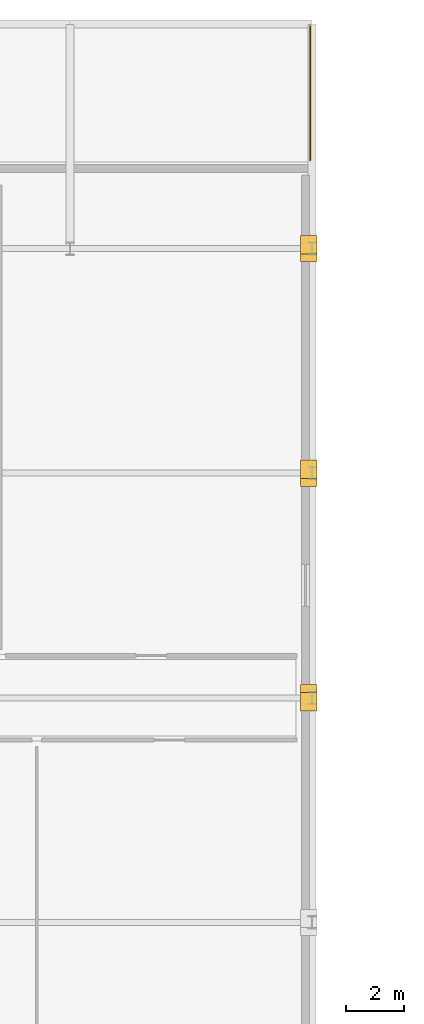
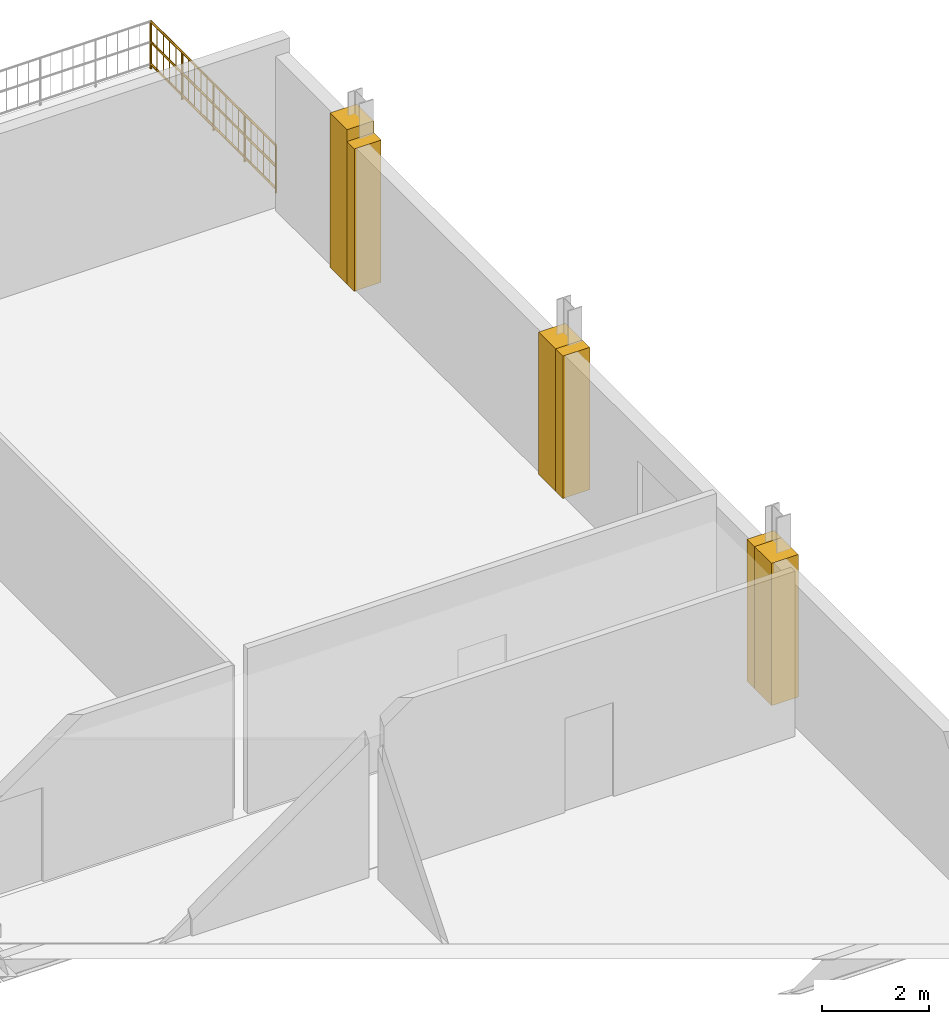
# One storey, part 25 of 25: 6 coverings, 1 railing.
"""IFC4 building model written with IfcOpenShell, lengths in metres."""

from ifc_helpers import new_model, si_unit, direction, frame, origin, origin_2d, place, context, subcontext, project, spatial, polyline, circle, outline, extrude, material, layer, layer_set, type_object, element, save


model = new_model("IFC4")

# Units and contexts
model_context = context("Model", 3, precision=1e-05, world=origin(), true_north=direction((0.0, 1.0)))
body_context = subcontext(model_context, "Body", "Model", "MODEL_VIEW")
ifc_project = project(units=[si_unit("LENGTHUNIT", "METRE"), si_unit("AREAUNIT", "SQUARE_METRE"), si_unit("VOLUMEUNIT", "CUBIC_METRE"), si_unit("PLANEANGLEUNIT", "RADIAN"), si_unit("MASSUNIT", "GRAM", prefix="KILO")], contexts=[model_context])

# Site, building, storey
site_placement = place(None, origin())
site = spatial("IfcSite", under=ifc_project, at=site_placement, CompositionType="ELEMENT")
building_placement = place(site_placement, origin())
building = spatial("IfcBuilding", under=site, at=building_placement, Name="Nabrawat Pavilion Hospital", CompositionType="ELEMENT")
storey_placement = place(building_placement, frame((0.0, 0.0, 22.949951171875)))
storey = spatial("IfcBuildingStorey", under=building, at=storey_placement, Name="L05", CompositionType="ELEMENT", Elevation=22.949951171875)

# Coverings
ifc_material_1 = material(Name="Precast concrete C40/50", Category="concrete")
ifc_layer_1 = layer(ifc_material_1, 0.360107421875, Name="Precast concrete C40/50")
ifc_layer_set_1 = layer_set([ifc_layer_1], Name="Precast concrete C40/50")
covering_type = type_object("IfcCoveringType", Name="Architectural Precast Column-Jamb Closure Reveal", PredefinedType="CLADDING", material=ifc_layer_set_1)
covering_1_placement = place(storey_placement, origin())
element("IfcCovering", 1, at=covering_1_placement, inside=storey, type_object=covering_type, Name="L05 Precast Facade Column-Jamb Weatherseal Closure 0607", PredefinedType="CLADDING", context=body_context, shape_type="SweptSolid", body=[
    extrude(outline(polyline([(193.3798828125, 100.945068359375), (193.3798828125, 101.580078125), (192.800048828125, 101.580078125), (192.800048828125, 100.945068359375), (193.3798828125, 100.945068359375)])), origin(), (0.0, 0.0, 1.0), 3.25),
])
covering_2_placement = place(storey_placement, origin())
element("IfcCovering", 2, at=covering_2_placement, inside=storey, type_object=covering_type, Name="L05 Precast Facade Column-Jamb Weatherseal Closure 0608", PredefinedType="CLADDING", context=body_context, shape_type="SweptSolid", body=[
    extrude(outline(polyline([(193.3798828125, 101.219970703125), (193.3798828125, 101.85498046875), (192.800048828125, 101.85498046875), (192.800048828125, 101.219970703125), (193.3798828125, 101.219970703125)])), origin(), (0.0, 0.0, 1.0), 3.25),
])
covering_3_placement = place(storey_placement, origin())
element("IfcCovering", 3, at=covering_3_placement, inside=storey, type_object=covering_type, Name="L05 Precast Facade Column-Jamb Weatherseal Closure 0609", PredefinedType="CLADDING", context=body_context, shape_type="SweptSolid", body=[
    extrude(outline(polyline([(193.3798828125, 108.7451171875), (193.3798828125, 109.3798828125), (192.800048828125, 109.3798828125), (192.800048828125, 108.7451171875), (193.3798828125, 108.7451171875)])), origin(), (0.0, 0.0, 1.0), 3.25),
])
covering_4_placement = place(storey_placement, origin())
element("IfcCovering", 4, at=covering_4_placement, inside=storey, type_object=covering_type, Name="L05 Precast Facade Column-Jamb Weatherseal Closure 0610", PredefinedType="CLADDING", context=body_context, shape_type="SweptSolid", body=[
    extrude(outline(polyline([(193.3798828125, 109.02001953125), (193.3798828125, 109.655029296875), (192.800048828125, 109.655029296875), (192.800048828125, 109.02001953125), (193.3798828125, 109.02001953125)])), origin(), (0.0, 0.0, 1.0), 3.25),
])
covering_5_placement = place(storey_placement, origin())
element("IfcCovering", 5, at=covering_5_placement, inside=storey, type_object=covering_type, Name="L05 Precast Facade Column-Jamb Weatherseal Closure 0611", PredefinedType="CLADDING", context=body_context, shape_type="SweptSolid", body=[
    extrude(outline(polyline([(193.3798828125, 116.544921875), (193.3798828125, 117.179931640625), (192.800048828125, 117.179931640625), (192.800048828125, 116.544921875), (193.3798828125, 116.544921875)])), origin(), (0.0, 0.0, 1.0), 3.25),
])
covering_6_placement = place(storey_placement, origin())
element("IfcCovering", 6, at=covering_6_placement, inside=storey, type_object=covering_type, Name="L05 Precast Facade Column-Jamb Weatherseal Closure 0612", PredefinedType="CLADDING", context=body_context, shape_type="SweptSolid", body=[
    extrude(outline(polyline([(193.3798828125, 116.820068359375), (193.3798828125, 117.455078125), (192.800048828125, 117.455078125), (192.800048828125, 116.820068359375), (193.3798828125, 116.820068359375)])), origin(), (0.0, 0.0, 1.0), 3.52001953125),
])

# Railing
ifc_material_2 = material(Name="Stainless Steel 316", Category="steel")
ifc_layer_2 = layer(ifc_material_2, 0.070068359375, Name="Stainless Steel 316")
ifc_layer_set_2 = layer_set([ifc_layer_2], Name="Stainless Steel 316")
railing_type = type_object("IfcRailingType", Name="Exterior Clinical Terrace Safety Guardrail 1100", PredefinedType="GUARDRAIL", material=ifc_layer_set_2)
railing_placement = place(storey_placement, frame((193.139892578125, 120.06005859375, 0.0)))
element("IfcRailing", 7, at=railing_placement, inside=storey, type_object=railing_type, Name="L05 Terrace Edge Safety Guardrail T_L05_WARD_NORTH East", PredefinedType="GUARDRAIL", context=body_context, shape_type="SweptSolid", body=[
    extrude(circle(Radius=0.02392578125, at=origin_2d()), frame((0.0, 0.0, 1.076171875), z_axis=(0.0, 1.0, 0.0), x_axis=(-1.0, 0.0, 0.0)), (0.0, 0.0, 1.0), 4.679931640625),
    extrude(circle(Radius=0.02392578125, at=origin_2d()), frame((0.0, 0.0, 0.10009765625), z_axis=(0.0, 1.0, 0.0), x_axis=(-1.0, 0.0, 0.0)), (0.0, 0.0, 1.0), 4.679931640625),
    extrude(circle(Radius=0.02392578125, at=origin_2d()), frame((0.0, 0.0, 0.60498046875), z_axis=(0.0, 1.0, 0.0), x_axis=(-1.0, 0.0, 0.0)), (0.0, 0.0, 1.0), 4.679931640625),
    extrude(circle(Radius=0.008056640625, at=origin_2d()), frame((0.0, 0.23388671875, 0.10009765625)), (0.0, 0.0, 1.0), 0.951904296875),
    extrude(circle(Radius=0.008056640625, at=origin_2d()), frame((0.0, 0.468017578125, 0.10009765625)), (0.0, 0.0, 1.0), 0.951904296875),
    extrude(circle(Radius=0.008056640625, at=origin_2d()), frame((0.0, 0.701904296875, 0.10009765625)), (0.0, 0.0, 1.0), 0.951904296875),
    extrude(circle(Radius=0.008056640625, at=origin_2d()), frame((0.0, 0.93603515625, 0.10009765625)), (0.0, 0.0, 1.0), 0.951904296875),
    extrude(circle(Radius=0.008056640625, at=origin_2d()), frame((0.0, 1.404052734375, 0.10009765625)), (0.0, 0.0, 1.0), 0.951904296875),
    extrude(circle(Radius=0.008056640625, at=origin_2d()), frame((0.0, 1.637939453125, 0.10009765625)), (0.0, 0.0, 1.0), 0.951904296875),
    extrude(circle(Radius=0.008056640625, at=origin_2d()), frame((0.0, 1.8720703125, 0.10009765625)), (0.0, 0.0, 1.0), 0.951904296875),
    extrude(circle(Radius=0.008056640625, at=origin_2d()), frame((0.0, 2.10595703125, 0.10009765625)), (0.0, 0.0, 1.0), 0.951904296875),
    extrude(circle(Radius=0.008056640625, at=origin_2d()), frame((0.0, 2.573974609375, 0.10009765625)), (0.0, 0.0, 1.0), 0.951904296875),
    extrude(circle(Radius=0.008056640625, at=origin_2d()), frame((0.0, 2.807861328125, 0.10009765625)), (0.0, 0.0, 1.0), 0.951904296875),
    extrude(circle(Radius=0.008056640625, at=origin_2d()), frame((0.0, 3.0419921875, 0.10009765625)), (0.0, 0.0, 1.0), 0.951904296875),
    extrude(circle(Radius=0.008056640625, at=origin_2d()), frame((0.0, 3.27587890625, 0.10009765625)), (0.0, 0.0, 1.0), 0.951904296875),
    extrude(circle(Radius=0.008056640625, at=origin_2d()), frame((0.0, 3.743896484375, 0.10009765625)), (0.0, 0.0, 1.0), 0.951904296875),
    extrude(circle(Radius=0.008056640625, at=origin_2d()), frame((0.0, 3.97802734375, 0.10009765625)), (0.0, 0.0, 1.0), 0.951904296875),
    extrude(circle(Radius=0.008056640625, at=origin_2d()), frame((0.0, 4.2119140625, 0.10009765625)), (0.0, 0.0, 1.0), 0.951904296875),
    extrude(circle(Radius=0.008056640625, at=origin_2d()), frame((0.0, 4.446044921875, 0.10009765625)), (0.0, 0.0, 1.0), 0.951904296875),
    extrude(circle(Radius=0.02099609375, at=origin_2d()), origin(), (0.0, 0.0, 1.0), 1.052001953125),
    extrude(circle(Radius=0.02099609375, at=origin_2d()), frame((0.0, 1.169921875, 0.0)), (0.0, 0.0, 1.0), 1.052001953125),
    extrude(circle(Radius=0.02099609375, at=origin_2d()), frame((0.0, 2.33984375, 0.0)), (0.0, 0.0, 1.0), 1.052001953125),
    extrude(circle(Radius=0.02099609375, at=origin_2d()), frame((0.0, 3.510009765625, 0.0)), (0.0, 0.0, 1.0), 1.052001953125),
    extrude(circle(Radius=0.02099609375, at=origin_2d()), frame((0.0, 4.679931640625, 0.0)), (0.0, 0.0, 1.0), 1.052001953125),
])

save(model, "model.ifc")
